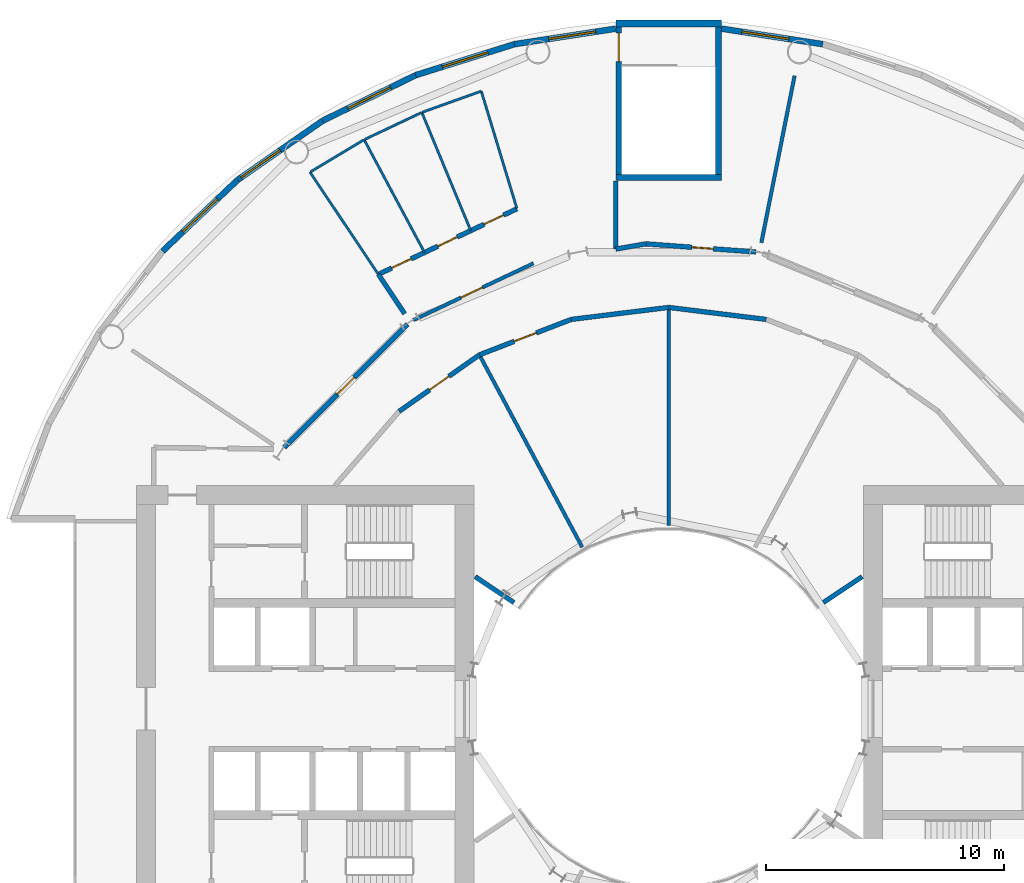
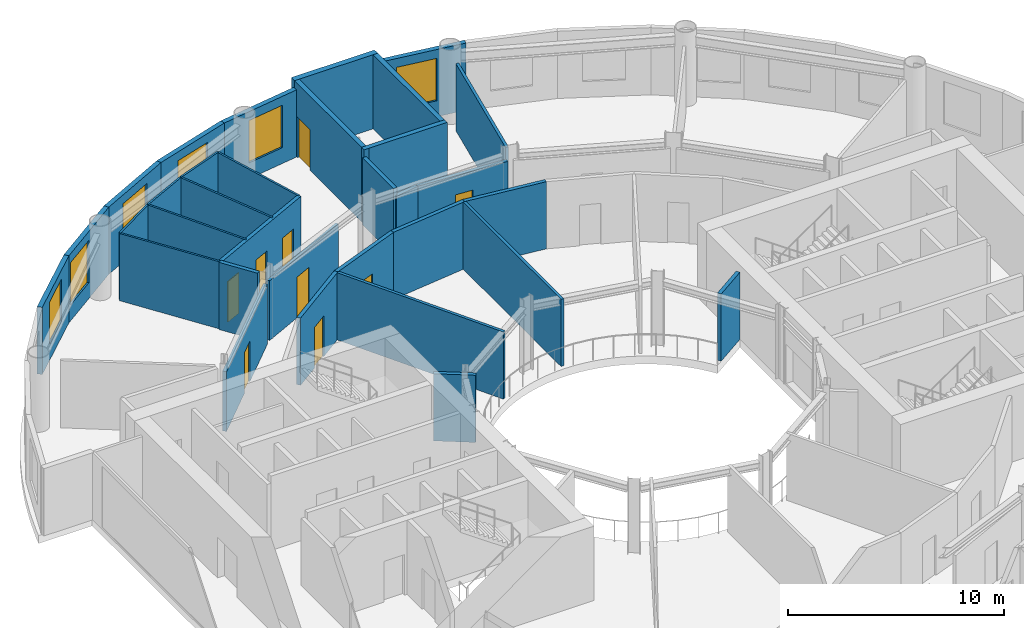
# One storey, part 8 of 13: 33 walls, 9 doors, 6 windows, 15 openings.
"""IFC4 building model written with IfcOpenShell, lengths in metres."""

from ifc_helpers import new_model, si_unit, direction, frame, frame_2d, origin, place, context, subcontext, project, spatial, rectangle, extrude, material, layer, layer_set, type_object, element, fill, save


model = new_model("IFC4")

# Units and contexts
model_context = context("Model", 3, precision=1e-05, world=origin(), true_north=direction((0.0, 1.0)))
body_context = subcontext(model_context, "Body", "Model", "MODEL_VIEW")
ifc_project = project(units=[si_unit("LENGTHUNIT", "METRE"), si_unit("AREAUNIT", "SQUARE_METRE"), si_unit("VOLUMEUNIT", "CUBIC_METRE"), si_unit("PLANEANGLEUNIT", "RADIAN"), si_unit("MASSUNIT", "GRAM", prefix="KILO")], contexts=[model_context])

# Site, building, storey
site_placement = place(None, origin())
site = spatial("IfcSite", under=ifc_project, at=site_placement, CompositionType="ELEMENT")
building_placement = place(site_placement, origin())
building = spatial("IfcBuilding", under=site, at=building_placement, Name="Maasbend Ring Residences", CompositionType="ELEMENT")
storey_placement = place(building_placement, frame((0.0, 0.0, 14.10009765625)))
storey = spatial("IfcBuildingStorey", under=building, at=storey_placement, Name="L03", CompositionType="ELEMENT", Elevation=14.10009765625)

# Wall, opening, door
ifc_material_1 = material(Name="Concrete C70/85", Category="concrete")
ifc_layer_1 = layer(ifc_material_1, 0.25)
ifc_layer_set_1 = layer_set([ifc_layer_1], Name="Concrete C70/85")
wall_type_1 = type_object("IfcWallType", Name="CORE WALL 250 C70/85", PredefinedType="SHEAR", material=ifc_layer_set_1)
wall_1_placement = place(storey_placement, frame((-2.10009765625, 28.699951171875, 0.0), z_axis=(0.0, 0.0, 1.0), x_axis=(0.0, -1.0, 0.0)))
wall_1 = element("IfcWall", 1, at=wall_1_placement, inside=storey, type_object=wall_type_1, Name="L03 ST-P4 enclosure wall WS+", PredefinedType="SHEAR", context=body_context, shape_type="SweptSolid", body=[
    extrude(rectangle(XDim=6.449951171875, YDim=0.25, at=frame_2d((3.22509765625, 0.0))), origin(), (0.0, 0.0, 1.0), 4.199951171875),
])
opening_1_placement = place(wall_1_placement, frame((0.25, 0.0, 0.0)))
opening_1 = element("IfcOpeningElement", 2, at=opening_1_placement, cuts=wall_1, Name="Opening D-P403S", PredefinedType="OPENING", context=body_context, shape_type="SweptSolid", body=[
    extrude(rectangle(XDim=1.199951171875, YDim=2.300048828125, at=frame_2d((0.60009765625, 1.14990234375))), frame((0.0, 0.135009765625, 0.0), z_axis=(0.0, -1.0, 0.0), x_axis=(1.0, 0.0, 0.0)), (0.0, 0.0, 1.0), 0.27001953125),
])
ifc_material_2 = material(Name="Steel, powder coated", Category="steel")
door_type_1 = type_object("IfcDoorType", Name="STAIR DOOR 1200 X 2300 FD60", OperationType="NOTDEFINED", PredefinedType="DOOR", material=ifc_material_2)
door_1_placement = place(opening_1_placement, origin())
door_1 = element("IfcDoor", 3, at=door_1_placement, inside=storey, type_object=door_type_1, Name="Stair door ST-P4 L03", OperationType="SINGLE_SWING_RIGHT", OverallHeight=2.300048828125, OverallWidth=1.199951171875, PredefinedType="DOOR", context=body_context, shape_type="SweptSolid", body=[
    extrude(rectangle(XDim=1.199951171875, YDim=2.300048828125, at=frame_2d((0.60009765625, 1.14990234375))), frame((0.0, 0.02490234375, 0.0), z_axis=(0.0, -1.0, 0.0), x_axis=(1.0, 0.0, 0.0)), (0.0, 0.0, 1.0), 0.050048828125),
])
fill(opening_1, door_1)

# Walls
wall_2_placement = place(storey_placement, frame((2.10009765625, 22.25, 0.0), z_axis=(0.0, 0.0, 1.0), x_axis=(0.0, 1.0, 0.0)))
element("IfcWall", 4, at=wall_2_placement, inside=storey, type_object=wall_type_1, Name="L03 ST-P4 enclosure wall WS-", PredefinedType="SHEAR", context=body_context, shape_type="SweptSolid", body=[
    extrude(rectangle(XDim=6.449951171875, YDim=0.25, at=frame_2d((3.22509765625, 0.0))), origin(), (0.0, 0.0, 1.0), 4.199951171875),
])
wall_3_placement = place(storey_placement, frame((2.22509765625, 22.375, 0.0), z_axis=(0.0, 0.0, 1.0), x_axis=(-1.0, 0.0, 0.0)))
element("IfcWall", 5, at=wall_3_placement, inside=storey, type_object=wall_type_1, Name="L03 ST-P4 enclosure wall WIN", PredefinedType="SHEAR", context=body_context, shape_type="SweptSolid", body=[
    extrude(rectangle(XDim=4.4501953125, YDim=0.25, at=frame_2d((2.22509765625, 0.0))), origin(), (0.0, 0.0, 1.0), 4.199951171875),
])
ifc_material_3 = material(Name="Concrete C70/85", Category="concrete")
ifc_layer_2 = layer(ifc_material_3, 0.300048828125)
ifc_layer_set_2 = layer_set([ifc_layer_2], Name="Concrete C70/85")
wall_type_2 = type_object("IfcWallType", Name="CORE WALL 300 C70/85", PredefinedType="SHEAR", material=ifc_layer_set_2)
wall_4_placement = place(storey_placement, frame((2.22509765625, 28.85009765625, 0.0), z_axis=(0.0, 0.0, 1.0), x_axis=(-1.0, 0.0, 0.0)))
element("IfcWall", 6, at=wall_4_placement, inside=storey, type_object=wall_type_2, Name="L03 ST-P4 enclosure wall WOUT", PredefinedType="SHEAR", context=body_context, shape_type="SweptSolid", body=[
    extrude(rectangle(XDim=4.4501953125, YDim=0.300048828125, at=frame_2d((2.22509765625, 0.0))), origin(), (0.0, 0.0, 1.0), 4.199951171875),
])
ifc_material_4 = material(Name="Concrete C30/37", Category="concrete")
ifc_layer_3 = layer(ifc_material_4, 0.199951171875)
ifc_layer_set_3 = layer_set([ifc_layer_3], Name="Concrete C30/37")
wall_type_3 = type_object("IfcWallType", Name="CORRIDOR WALL 200 CONCRETE", PredefinedType="PARTITIONING", material=ifc_layer_set_3)
wall_5_placement = place(storey_placement, frame((-12.221923828125, 18.2919921875, 0.0), z_axis=(0.0, 0.0, 1.0), x_axis=(0.555491592772, -0.831522152657, 0.0)))
element("IfcWall", 7, at=wall_5_placement, inside=storey, type_object=wall_type_3, Name="U-L03-w028", PredefinedType="PARTITIONING", context=body_context, shape_type="SweptSolid", body=[
    extrude(rectangle(XDim=1.99267578125, YDim=0.199951171875, at=frame_2d((0.996337890625, 0.0))), origin(), (0.0, 0.0, 1.0), 3.7998046875),
])
wall_6_placement = place(storey_placement, frame((-2.22509765625, 19.35693359375, 0.0), z_axis=(0.0, 0.0, 1.0), x_axis=(0.0, 1.0, 0.0)))
element("IfcWall", 8, at=wall_6_placement, inside=storey, type_object=wall_type_3, Name="U-L03-w047", PredefinedType="PARTITIONING", context=body_context, shape_type="SweptSolid", body=[
    extrude(rectangle(XDim=2.873046875, YDim=0.199951171875, at=frame_2d((1.4365234375, 0.0))), origin(), (0.0, 0.0, 1.0), 3.7998046875),
])

# Wall, opening, door
wall_7_placement = place(storey_placement, frame((-11.34912109375, 12.52197265625, 0.0), z_axis=(0.0, 0.0, 1.0), x_axis=(0.817567680547, 0.575832517079, 0.0)))
wall_7 = element("IfcWall", 9, at=wall_7_placement, inside=storey, type_object=wall_type_3, Name="U-L03-w051", PredefinedType="PARTITIONING", context=body_context, shape_type="SweptSolid", body=[
    extrude(rectangle(XDim=4.13671875, YDim=0.199951171875, at=frame_2d((2.068359375, 0.0))), origin(), (0.0, 0.0, 1.0), 3.7998046875),
])
opening_2_placement = place(wall_7_placement, frame((1.568115234375, 0.0, 0.0)))
opening_2 = element("IfcOpeningElement", 10, at=opening_2_placement, cuts=wall_7, Name="Opening D-0316", PredefinedType="OPENING", context=body_context, shape_type="SweptSolid", body=[
    extrude(rectangle(XDim=1.0, YDim=2.300048828125, at=frame_2d((0.5, 1.14990234375))), frame((0.0, 0.10986328125, 0.0), z_axis=(0.0, -1.0, 0.0), x_axis=(1.0, 0.0, 0.0)), (0.0, 0.0, 1.0), 0.219970703125),
])
ifc_material_5 = material(Name="Timber, painted", Category="wood")
door_type_2 = type_object("IfcDoorType", Name="ROOM DOOR 1000 X 2300", OperationType="NOTDEFINED", PredefinedType="DOOR", material=ifc_material_5)
door_2_placement = place(opening_2_placement, origin())
door_2 = element("IfcDoor", 11, at=door_2_placement, inside=storey, type_object=door_type_2, Name="D-0316", OperationType="SINGLE_SWING_RIGHT", OverallHeight=2.300048828125, OverallWidth=1.0, PredefinedType="DOOR", context=body_context, shape_type="SweptSolid", body=[
    extrude(rectangle(XDim=1.0, YDim=2.300048828125, at=frame_2d((0.5, 1.14990234375))), frame((0.0, 0.02490234375, 0.0), z_axis=(0.0, -1.0, 0.0), x_axis=(1.0, 0.0, 0.0)), (0.0, 0.0, 1.0), 0.050048828125),
])
fill(opening_2, door_2)

wall_8_placement = place(storey_placement, frame((-7.967041015625, 14.904052734375, 0.0), z_axis=(0.0, 0.0, 1.0), x_axis=(0.932943640288, 0.360022449363, 0.0)))
wall_8 = element("IfcWall", 12, at=wall_8_placement, inside=storey, type_object=wall_type_3, Name="U-L03-w052", PredefinedType="PARTITIONING", context=body_context, shape_type="SweptSolid", body=[
    extrude(rectangle(XDim=4.138671875, YDim=0.199951171875, at=frame_2d((2.0693359375, 0.0))), origin(), (0.0, 0.0, 1.0), 3.7998046875),
])
opening_3_placement = place(wall_8_placement, frame((1.569091796875, 0.0, 0.0)))
opening_3 = element("IfcOpeningElement", 13, at=opening_3_placement, cuts=wall_8, Name="Opening D-0315", PredefinedType="OPENING", context=body_context, shape_type="SweptSolid", body=[
    extrude(rectangle(XDim=1.0, YDim=2.300048828125, at=frame_2d((0.5, 1.14990234375))), frame((0.0, 0.10986328125, 0.0), z_axis=(0.0, -1.0, 0.0), x_axis=(1.0, 0.0, 0.0)), (0.0, 0.0, 1.0), 0.219970703125),
])
door_3_placement = place(opening_3_placement, origin())
door_3 = element("IfcDoor", 14, at=door_3_placement, inside=storey, type_object=door_type_2, Name="D-0315", OperationType="SINGLE_SWING_RIGHT", OverallHeight=2.300048828125, OverallWidth=1.0, PredefinedType="DOOR", context=body_context, shape_type="SweptSolid", body=[
    extrude(rectangle(XDim=1.0, YDim=2.300048828125, at=frame_2d((0.5, 1.14990234375))), frame((0.0, 0.02490234375, 0.0), z_axis=(0.0, -1.0, 0.0), x_axis=(1.0, 0.0, 0.0)), (0.0, 0.0, 1.0), 0.050048828125),
])
fill(opening_3, door_3)

# Walls
for number, where, z_axis, x_axis, name in (
    (15, (-4.10595703125, 16.39404296875, 0.0), (0.0, 0.0, 1.0), (0.992496033272, 0.122276833211, 0.0), "U-L03-w053"),
    (16, (0.0, 16.89990234375, 0.0), (0.0, 0.0, 1.0), (0.992496033272, -0.122276833211, 0.0), "U-L03-w054"),
):
    element("IfcWall", number, at=place(storey_placement, frame(where, z_axis=z_axis, x_axis=x_axis)), inside=storey, type_object=wall_type_3, Name=name, PredefinedType="PARTITIONING", context=body_context, shape_type="SweptSolid", body=[
        extrude(rectangle(XDim=4.136962890625, YDim=0.199951171875, at=frame_2d((2.068359375, 0.0))), origin(), (0.0, 0.0, 1.0), 3.7998046875),
    ])

# Wall, opening, door
wall_9_placement = place(storey_placement, frame((-16.18798828125, 10.998046875, 0.0), z_axis=(0.0, 0.0, 1.0), x_axis=(0.707106781187, 0.707106781187, 0.0)))
wall_9 = element("IfcWall", 17, at=wall_9_placement, inside=storey, type_object=wall_type_3, Name="U-L03-w058", PredefinedType="PARTITIONING", context=body_context, shape_type="SweptSolid", body=[
    extrude(rectangle(XDim=7.339599609375, YDim=0.199951171875, at=frame_2d((3.669921875, 0.0))), origin(), (0.0, 0.0, 1.0), 3.3798828125),
])
opening_4_placement = place(wall_9_placement, frame((3.169921875, 0.0, 0.0)))
opening_4 = element("IfcOpeningElement", 18, at=opening_4_placement, cuts=wall_9, Name="Opening D-0312", PredefinedType="OPENING", context=body_context, shape_type="SweptSolid", body=[
    extrude(rectangle(XDim=1.0, YDim=2.300048828125, at=frame_2d((0.5, 1.14990234375))), frame((0.0, 0.10986328125, 0.0), z_axis=(0.0, -1.0, 0.0), x_axis=(1.0, 0.0, 0.0)), (0.0, 0.0, 1.0), 0.219970703125),
])
door_4_placement = place(opening_4_placement, origin())
door_4 = element("IfcDoor", 19, at=door_4_placement, inside=storey, type_object=door_type_2, Name="D-0312", OperationType="SINGLE_SWING_RIGHT", OverallHeight=2.300048828125, OverallWidth=1.0, PredefinedType="DOOR", context=body_context, shape_type="SweptSolid", body=[
    extrude(rectangle(XDim=1.0, YDim=2.300048828125, at=frame_2d((0.5, 1.14990234375))), frame((0.0, 0.02490234375, 0.0), z_axis=(0.0, -1.0, 0.0), x_axis=(1.0, 0.0, 0.0)), (0.0, 0.0, 1.0), 0.050048828125),
])
fill(opening_4, door_4)

# Wall
wall_10_placement = place(storey_placement, frame((-2.22509765625, 19.35693359375, 0.0), z_axis=(0.0, 0.0, 1.0), x_axis=(0.985302465297, 0.170818769109, 0.0)))
element("IfcWall", 20, at=wall_10_placement, inside=storey, type_object=wall_type_3, Name="U-L03-w062", PredefinedType="PARTITIONING", context=body_context, shape_type="SweptSolid", body=[
    extrude(rectangle(XDim=1.281982421875, YDim=0.199951171875, at=frame_2d((0.64111328125, 0.0))), origin(), (0.0, 0.0, 1.0), 3.3798828125),
])

# Wall, opening, door
wall_11_placement = place(storey_placement, frame((-0.9619140625, 19.575927734375, 0.0), z_axis=(0.0, 0.0, 1.0), x_axis=(0.997285649759, -0.073629700427, 0.0)))
wall_11 = element("IfcWall", 21, at=wall_11_placement, inside=storey, type_object=wall_type_3, Name="U-L03-w063", PredefinedType="PARTITIONING", context=body_context, shape_type="SweptSolid", body=[
    extrude(rectangle(XDim=4.6455078125, YDim=0.199951171875, at=frame_2d((2.32275390625, 0.0))), origin(), (0.0, 0.0, 1.0), 3.3798828125),
])
opening_5_placement = place(wall_11_placement, frame((1.949951171875, 0.0, 0.0)))
opening_5 = element("IfcOpeningElement", 22, at=opening_5_placement, cuts=wall_11, Name="Opening D-0311", PredefinedType="OPENING", context=body_context, shape_type="SweptSolid", body=[
    extrude(rectangle(XDim=0.89990234375, YDim=2.300048828125, at=frame_2d((0.449951171875, 1.14990234375))), frame((0.0, 0.10986328125, 0.0), z_axis=(0.0, -1.0, 0.0), x_axis=(1.0, 0.0, 0.0)), (0.0, 0.0, 1.0), 0.219970703125),
])
ifc_material_6 = material(Name="Steel, fire-rated, painted", Category="steel")
door_type_3 = type_object("IfcDoorType", Name="SERVICE DOOR 900 X 2300 FIRE-RATED", OperationType="NOTDEFINED", PredefinedType="DOOR", material=ifc_material_6)
door_5_placement = place(opening_5_placement, origin())
door_5 = element("IfcDoor", 23, at=door_5_placement, inside=storey, type_object=door_type_3, Name="D-0311", OperationType="SINGLE_SWING_RIGHT", OverallHeight=2.300048828125, OverallWidth=0.89990234375, PredefinedType="DOOR", context=body_context, shape_type="SweptSolid", body=[
    extrude(rectangle(XDim=0.89990234375, YDim=2.300048828125, at=frame_2d((0.449951171875, 1.14990234375))), frame((0.0, 0.02490234375, 0.0), z_axis=(0.0, -1.0, 0.0), x_axis=(1.0, 0.0, 0.0)), (0.0, 0.0, 1.0), 0.050048828125),
])
fill(opening_5, door_5)

# Wall, openings, doors
wall_12_placement = place(storey_placement, frame((-12.22607421875, 18.2900390625, 0.0), z_axis=(0.0, 0.0, 1.0), x_axis=(0.90397320193, 0.427589113745, 0.0)))
wall_12 = element("IfcWall", 24, at=wall_12_placement, inside=storey, type_object=wall_type_3, Name="U-L03-w066", PredefinedType="PARTITIONING", context=body_context, shape_type="SweptSolid", body=[
    extrude(rectangle(XDim=6.45947265625, YDim=0.199951171875, at=frame_2d((3.229736328125, 0.0))), origin(), (0.0, 0.0, 1.0), 3.7998046875),
])
opening_6_placement = place(wall_12_placement, frame((4.93408203125, 0.0, 0.0)))
opening_6 = element("IfcOpeningElement", 25, at=opening_6_placement, cuts=wall_12, Name="Opening D-0302", PredefinedType="OPENING", context=body_context, shape_type="SweptSolid", body=[
    extrude(rectangle(XDim=0.89990234375, YDim=2.300048828125, at=frame_2d((0.449951171875, 1.14990234375))), frame((0.0, 0.10986328125, 0.0), z_axis=(0.0, -1.0, 0.0), x_axis=(1.0, 0.0, 0.0)), (0.0, 0.0, 1.0), 0.219970703125),
])
opening_7_placement = place(wall_12_placement, frame((2.777099609375, 0.0, 0.0)))
opening_7 = element("IfcOpeningElement", 26, at=opening_7_placement, cuts=wall_12, Name="Opening D-0303", PredefinedType="OPENING", context=body_context, shape_type="SweptSolid", body=[
    extrude(rectangle(XDim=0.89990234375, YDim=2.300048828125, at=frame_2d((0.449951171875, 1.14990234375))), frame((0.0, 0.10986328125, 0.0), z_axis=(0.0, -1.0, 0.0), x_axis=(1.0, 0.0, 0.0)), (0.0, 0.0, 1.0), 0.219970703125),
])
opening_8_placement = place(wall_12_placement, frame((0.6279296875, 0.0, 0.0)))
opening_8 = element("IfcOpeningElement", 27, at=opening_8_placement, cuts=wall_12, Name="Opening D-0304", PredefinedType="OPENING", context=body_context, shape_type="SweptSolid", body=[
    extrude(rectangle(XDim=0.89990234375, YDim=2.300048828125, at=frame_2d((0.449951171875, 1.14990234375))), frame((0.0, 0.10986328125, 0.0), z_axis=(0.0, -1.0, 0.0), x_axis=(1.0, 0.0, 0.0)), (0.0, 0.0, 1.0), 0.219970703125),
])
ifc_material_7 = material(Name="Timber, painted", Category="wood")
door_type_4 = type_object("IfcDoorType", Name="INTERNAL DOOR 900 X 2300", OperationType="NOTDEFINED", PredefinedType="DOOR", material=ifc_material_7)
door_6_placement = place(opening_6_placement, origin())
door_6 = element("IfcDoor", 28, at=door_6_placement, inside=storey, type_object=door_type_4, Name="D-0302", OperationType="SINGLE_SWING_RIGHT", OverallHeight=2.300048828125, OverallWidth=0.89990234375, PredefinedType="DOOR", context=body_context, shape_type="SweptSolid", body=[
    extrude(rectangle(XDim=0.89990234375, YDim=2.300048828125, at=frame_2d((0.449951171875, 1.14990234375))), frame((0.0, 0.02490234375, 0.0), z_axis=(0.0, -1.0, 0.0), x_axis=(1.0, 0.0, 0.0)), (0.0, 0.0, 1.0), 0.050048828125),
])
fill(opening_6, door_6)
door_7_placement = place(opening_7_placement, origin())
door_7 = element("IfcDoor", 29, at=door_7_placement, inside=storey, type_object=door_type_4, Name="D-0303", OperationType="SINGLE_SWING_LEFT", OverallHeight=2.300048828125, OverallWidth=0.89990234375, PredefinedType="DOOR", context=body_context, shape_type="SweptSolid", body=[
    extrude(rectangle(XDim=0.89990234375, YDim=2.300048828125, at=frame_2d((0.449951171875, 1.14990234375))), frame((0.0, 0.02490234375, 0.0), z_axis=(0.0, -1.0, 0.0), x_axis=(1.0, 0.0, 0.0)), (0.0, 0.0, 1.0), 0.050048828125),
])
fill(opening_7, door_7)
door_8_placement = place(opening_8_placement, origin())
door_8 = element("IfcDoor", 30, at=door_8_placement, inside=storey, type_object=door_type_4, Name="D-0304", OperationType="SINGLE_SWING_LEFT", OverallHeight=2.300048828125, OverallWidth=0.89990234375, PredefinedType="DOOR", context=body_context, shape_type="SweptSolid", body=[
    extrude(rectangle(XDim=0.89990234375, YDim=2.300048828125, at=frame_2d((0.449951171875, 1.14990234375))), frame((0.0, 0.02490234375, 0.0), z_axis=(0.0, -1.0, 0.0), x_axis=(1.0, 0.0, 0.0)), (0.0, 0.0, 1.0), 0.050048828125),
])
fill(opening_8, door_8)

# Wall, opening, window
ifc_material_8 = material(Name="Aluminium clad insulated panel", Category="aluminium")
ifc_layer_4 = layer(ifc_material_8, 0.25)
ifc_layer_set_4 = layer_set([ifc_layer_4], Name="EW-GL")
wall_type_4 = type_object("IfcWallType", Name="EW-GL", PredefinedType="SOLIDWALL", material=ifc_layer_set_4)
wall_13_placement = place(storey_placement, frame((6.489013671875, 27.98193359375, 0.0), z_axis=(0.0, 0.0, 1.0), x_axis=(-0.988472895049, 0.151397938406, 0.0)))
wall_13 = element("IfcWall", 31, at=wall_13_placement, inside=storey, type_object=wall_type_4, Name="Community floor wall 08a", PredefinedType="SOLIDWALL", context=body_context, shape_type="SweptSolid", body=[
    extrude(rectangle(XDim=4.313720703125, YDim=0.25, at=frame_2d((2.15673828125, 0.0))), origin(), (0.0, 0.0, 1.0), 3.7998046875),
])
opening_9_placement = place(wall_13_placement, frame((1.455322265625, 0.0, 0.89990234375)))
opening_9 = element("IfcOpeningElement", 32, at=opening_9_placement, cuts=wall_13, Name="Opening W-BD", PredefinedType="OPENING", context=body_context, shape_type="SweptSolid", body=[
    extrude(rectangle(XDim=2.0, YDim=2.39990234375, at=frame_2d((1.0, 1.199951171875))), frame((0.0, 0.135009765625, 0.0), z_axis=(0.0, -1.0, 0.0), x_axis=(1.0, 0.0, 0.0)), (0.0, 0.0, 1.0), 0.27001953125),
])
ifc_material_9 = material(Name="Aluminium and clear glass", Category="aluminium")
window_type = type_object("IfcWindowType", Name="W-BD", PartitioningType="DOUBLE_PANEL_VERTICAL", PredefinedType="WINDOW", material=ifc_material_9)
window_1_placement = place(opening_9_placement, origin())
window_1 = element("IfcWindow", 33, at=window_1_placement, inside=storey, type_object=window_type, Name="Community floor window 08a", OverallHeight=2.39990234375, OverallWidth=2.0, PartitioningType="SINGLE_PANEL", PredefinedType="WINDOW", context=body_context, shape_type="SweptSolid", body=[
    extrude(rectangle(XDim=2.0, YDim=2.39990234375, at=frame_2d((1.0, 1.199951171875))), frame((0.0, 0.030029296875, 0.0), z_axis=(0.0, -1.0, 0.0), x_axis=(1.0, 0.0, 0.0)), (0.0, 0.0, 1.0), 0.06005859375),
])
fill(opening_9, window_1)

wall_14_placement = place(storey_placement, frame((-2.22509765625, 28.635009765625, 0.0), z_axis=(0.0, 0.0, 1.0), x_axis=(-0.988472895049, -0.151397938406, 0.0)))
wall_14 = element("IfcWall", 34, at=wall_14_placement, inside=storey, type_object=wall_type_4, Name="Community floor wall 10a", PredefinedType="SOLIDWALL", context=body_context, shape_type="SweptSolid", body=[
    extrude(rectangle(XDim=4.313720703125, YDim=0.25, at=frame_2d((2.15673828125, 0.0))), origin(), (0.0, 0.0, 1.0), 3.7998046875),
])
opening_10_placement = place(wall_14_placement, frame((0.858642578125, 0.0, 0.89990234375)))
opening_10 = element("IfcOpeningElement", 35, at=opening_10_placement, cuts=wall_14, Name="Opening W-BD", PredefinedType="OPENING", context=body_context, shape_type="SweptSolid", body=[
    extrude(rectangle(XDim=2.0, YDim=2.39990234375, at=frame_2d((1.0, 1.199951171875))), frame((0.0, 0.135009765625, 0.0), z_axis=(0.0, -1.0, 0.0), x_axis=(1.0, 0.0, 0.0)), (0.0, 0.0, 1.0), 0.27001953125),
])
window_2_placement = place(opening_10_placement, origin())
window_2 = element("IfcWindow", 36, at=window_2_placement, inside=storey, type_object=window_type, Name="Community floor window 10a", OverallHeight=2.39990234375, OverallWidth=2.0, PartitioningType="SINGLE_PANEL", PredefinedType="WINDOW", context=body_context, shape_type="SweptSolid", body=[
    extrude(rectangle(XDim=2.0, YDim=2.39990234375, at=frame_2d((1.0, 1.199951171875))), frame((0.0, 0.030029296875, 0.0), z_axis=(0.0, -1.0, 0.0), x_axis=(1.0, 0.0, 0.0)), (0.0, 0.0, 1.0), 0.06005859375),
])
fill(opening_10, window_2)

wall_15_placement = place(storey_placement, frame((-6.489013671875, 27.98193359375, 0.0), z_axis=(0.0, 0.0, 1.0), x_axis=(-0.954219534331, -0.299107138498, 0.0)))
wall_15 = element("IfcWall", 37, at=wall_15_placement, inside=storey, type_object=wall_type_4, Name="Community floor wall 11", PredefinedType="SOLIDWALL", context=body_context, shape_type="SweptSolid", body=[
    extrude(rectangle(XDim=4.359375, YDim=0.25, at=frame_2d((2.1796875, 0.0))), origin(), (0.0, 0.0, 1.0), 3.7998046875),
])
opening_11_placement = place(wall_15_placement, frame((1.179931640625, 0.0, 0.89990234375)))
opening_11 = element("IfcOpeningElement", 38, at=opening_11_placement, cuts=wall_15, Name="Opening W-BD", PredefinedType="OPENING", context=body_context, shape_type="SweptSolid", body=[
    extrude(rectangle(XDim=2.0, YDim=2.39990234375, at=frame_2d((1.0, 1.199951171875))), frame((0.0, 0.135009765625, 0.0), z_axis=(0.0, -1.0, 0.0), x_axis=(1.0, 0.0, 0.0)), (0.0, 0.0, 1.0), 0.27001953125),
])
window_3_placement = place(opening_11_placement, origin())
window_3 = element("IfcWindow", 39, at=window_3_placement, inside=storey, type_object=window_type, Name="Community floor window 11", OverallHeight=2.39990234375, OverallWidth=2.0, PartitioningType="SINGLE_PANEL", PredefinedType="WINDOW", context=body_context, shape_type="SweptSolid", body=[
    extrude(rectangle(XDim=2.0, YDim=2.39990234375, at=frame_2d((1.0, 1.199951171875))), frame((0.0, 0.030029296875, 0.0), z_axis=(0.0, -1.0, 0.0), x_axis=(1.0, 0.0, 0.0)), (0.0, 0.0, 1.0), 0.06005859375),
])
fill(opening_11, window_3)

wall_16_placement = place(storey_placement, frame((-10.64892578125, 26.677978515625, 0.0), z_axis=(0.0, 0.0, 1.0), x_axis=(-0.897938079481, -0.440121807478, 0.0)))
wall_16 = element("IfcWall", 40, at=wall_16_placement, inside=storey, type_object=wall_type_4, Name="Community floor wall 12", PredefinedType="SOLIDWALL", context=body_context, shape_type="SweptSolid", body=[
    extrude(rectangle(XDim=4.360107421875, YDim=0.25, at=frame_2d((2.18017578125, 0.0))), origin(), (0.0, 0.0, 1.0), 3.7998046875),
])
opening_12_placement = place(wall_16_placement, frame((1.179931640625, 0.0, 0.89990234375)))
opening_12 = element("IfcOpeningElement", 41, at=opening_12_placement, cuts=wall_16, Name="Opening W-BD", PredefinedType="OPENING", context=body_context, shape_type="SweptSolid", body=[
    extrude(rectangle(XDim=2.0, YDim=2.39990234375, at=frame_2d((1.0, 1.199951171875))), frame((0.0, 0.135009765625, 0.0), z_axis=(0.0, -1.0, 0.0), x_axis=(1.0, 0.0, 0.0)), (0.0, 0.0, 1.0), 0.27001953125),
])
window_4_placement = place(opening_12_placement, origin())
window_4 = element("IfcWindow", 42, at=window_4_placement, inside=storey, type_object=window_type, Name="Community floor window 12", OverallHeight=2.39990234375, OverallWidth=2.0, PartitioningType="SINGLE_PANEL", PredefinedType="WINDOW", context=body_context, shape_type="SweptSolid", body=[
    extrude(rectangle(XDim=2.0, YDim=2.39990234375, at=frame_2d((1.0, 1.199951171875))), frame((0.0, 0.030029296875, 0.0), z_axis=(0.0, -1.0, 0.0), x_axis=(1.0, 0.0, 0.0)), (0.0, 0.0, 1.0), 0.06005859375),
])
fill(opening_12, window_4)

wall_17_placement = place(storey_placement, frame((-14.56396484375, 24.759033203125, 0.0), z_axis=(0.0, 0.0, 1.0), x_axis=(-0.820990800869, -0.57094141984, 0.0)))
wall_17 = element("IfcWall", 43, at=wall_17_placement, inside=storey, type_object=wall_type_4, Name="Community floor wall 13", PredefinedType="SOLIDWALL", context=body_context, shape_type="SweptSolid", body=[
    extrude(rectangle(XDim=4.359375, YDim=0.25, at=frame_2d((2.1796875, 0.0))), origin(), (0.0, 0.0, 1.0), 3.7998046875),
])
opening_13_placement = place(wall_17_placement, frame((2.1826171875, 0.0, 0.89990234375)))
opening_13 = element("IfcOpeningElement", 44, at=opening_13_placement, cuts=wall_17, Name="Opening W-BD", PredefinedType="OPENING", context=body_context, shape_type="SweptSolid", body=[
    extrude(rectangle(XDim=2.0, YDim=2.39990234375, at=frame_2d((1.0, 1.199951171875))), frame((0.0, 0.135009765625, 0.0), z_axis=(0.0, -1.0, 0.0), x_axis=(1.0, 0.0, 0.0)), (0.0, 0.0, 1.0), 0.27001953125),
])
window_5_placement = place(opening_13_placement, origin())
window_5 = element("IfcWindow", 45, at=window_5_placement, inside=storey, type_object=window_type, Name="Community floor window 13", OverallHeight=2.39990234375, OverallWidth=2.0, PartitioningType="SINGLE_PANEL", PredefinedType="WINDOW", context=body_context, shape_type="SweptSolid", body=[
    extrude(rectangle(XDim=2.0, YDim=2.39990234375, at=frame_2d((1.0, 1.199951171875))), frame((0.0, 0.030029296875, 0.0), z_axis=(0.0, -1.0, 0.0), x_axis=(1.0, 0.0, 0.0)), (0.0, 0.0, 1.0), 0.06005859375),
])
fill(opening_13, window_5)

wall_18_placement = place(storey_placement, frame((-18.14306640625, 22.27001953125, 0.0), z_axis=(0.0, 0.0, 1.0), x_axis=(-0.725101501119, -0.68864200647, 0.0)))
wall_18 = element("IfcWall", 46, at=wall_18_placement, inside=storey, type_object=wall_type_4, Name="Community floor wall 14", PredefinedType="SOLIDWALL", context=body_context, shape_type="SweptSolid", body=[
    extrude(rectangle(XDim=4.359130859375, YDim=0.25, at=frame_2d((2.1796875, 0.0))), origin(), (0.0, 0.0, 1.0), 3.7998046875),
])
opening_14_placement = place(wall_18_placement, frame((1.179931640625, 0.0, 0.89990234375)))
opening_14 = element("IfcOpeningElement", 47, at=opening_14_placement, cuts=wall_18, Name="Opening W-BD", PredefinedType="OPENING", context=body_context, shape_type="SweptSolid", body=[
    extrude(rectangle(XDim=2.0, YDim=2.39990234375, at=frame_2d((1.0, 1.199951171875))), frame((0.0, 0.135009765625, 0.0), z_axis=(0.0, -1.0, 0.0), x_axis=(1.0, 0.0, 0.0)), (0.0, 0.0, 1.0), 0.27001953125),
])
window_6_placement = place(opening_14_placement, origin())
window_6 = element("IfcWindow", 48, at=window_6_placement, inside=storey, type_object=window_type, Name="Community floor window 14", OverallHeight=2.39990234375, OverallWidth=2.0, PartitioningType="SINGLE_PANEL", PredefinedType="WINDOW", context=body_context, shape_type="SweptSolid", body=[
    extrude(rectangle(XDim=2.0, YDim=2.39990234375, at=frame_2d((1.0, 1.199951171875))), frame((0.0, 0.030029296875, 0.0), z_axis=(0.0, -1.0, 0.0), x_axis=(1.0, 0.0, 0.0)), (0.0, 0.0, 1.0), 0.06005859375),
])
fill(opening_14, window_6)

# Walls
ifc_material_10 = material(Name="Gypsum board on steel studs", Category="steel")
ifc_layer_5 = layer(ifc_material_10, 0.10009765625)
ifc_layer_set_5 = layer_set([ifc_layer_5], Name="PARTITION 100 GYPSUM")
wall_type_5 = type_object("IfcWallType", Name="PARTITION 100 GYPSUM", PredefinedType="PARTITIONING", material=ifc_layer_set_5)
wall_19_placement = place(storey_placement, frame((-15.097900390625, 22.594970703125, 0.0), z_axis=(0.0, 0.0, 1.0), x_axis=(0.555549082229, -0.83148374442, 0.0)))
element("IfcWall", 49, at=wall_19_placement, inside=storey, type_object=wall_type_5, Name="U-L03-w026", PredefinedType="PARTITIONING", context=body_context, shape_type="SweptSolid", body=[
    extrude(rectangle(XDim=5.175048828125, YDim=0.10009765625, at=frame_2d((2.58740234375, 0.0))), origin(), (0.0, 0.0, 1.0), 3.7998046875),
])
wall_20_placement = place(storey_placement, frame((-12.819091796875, 23.9619140625, 0.0), z_axis=(0.0, 0.0, 1.0), x_axis=(0.471698142177, -0.881760093601, 0.0)))
element("IfcWall", 50, at=wall_20_placement, inside=storey, type_object=wall_type_5, Name="U-L03-w027", PredefinedType="PARTITIONING", context=body_context, shape_type="SweptSolid", body=[
    extrude(rectangle(XDim=5.386962890625, YDim=0.10009765625, at=frame_2d((2.693359375, 0.0))), origin(), (0.0, 0.0, 1.0), 3.7998046875),
])
wall_21_placement = place(storey_placement, frame((-10.39111328125, 25.110107421875, 0.0), z_axis=(0.0, 0.0, 1.0), x_axis=(0.38229040446, -0.924042232075, 0.0)))
element("IfcWall", 51, at=wall_21_placement, inside=storey, type_object=wall_type_5, Name="U-L03-w029", PredefinedType="PARTITIONING", context=body_context, shape_type="SweptSolid", body=[
    extrude(rectangle(XDim=5.38623046875, YDim=0.10009765625, at=frame_2d((2.693115234375, 0.0))), origin(), (0.0, 0.0, 1.0), 3.7998046875),
])
wall_22_placement = place(storey_placement, frame((-10.3720703125, 25.116943359375, 0.0), z_axis=(0.0, 0.0, 1.0), x_axis=(0.941651844769, 0.336588477585, 0.0)))
element("IfcWall", 52, at=wall_22_placement, inside=storey, type_object=wall_type_5, Name="U-L03-w067", PredefinedType="PARTITIONING", context=body_context, shape_type="SweptSolid", body=[
    extrude(rectangle(XDim=2.637939453125, YDim=0.10009765625, at=frame_2d((1.31884765625, 0.0))), origin(), (0.0, 0.0, 1.0), 3.7998046875),
])
wall_23_placement = place(storey_placement, frame((-7.887939453125, 26.0048828125, 0.0), z_axis=(0.0, 0.0, 1.0), x_axis=(0.290192738678, -0.956968220172, 0.0)))
element("IfcWall", 53, at=wall_23_placement, inside=storey, type_object=wall_type_5, Name="U-L03-w068", PredefinedType="PARTITIONING", context=body_context, shape_type="SweptSolid", body=[
    extrude(rectangle(XDim=5.15478515625, YDim=0.10009765625, at=frame_2d((2.577392578125, 0.0))), origin(), (0.0, 0.0, 1.0), 3.7998046875),
])
wall_24_placement = place(storey_placement, frame((-12.800048828125, 23.970947265625, 0.0), z_axis=(0.0, 0.0, 1.0), x_axis=(0.904104040696, 0.427312395792, 0.0)))
element("IfcWall", 54, at=wall_24_placement, inside=storey, type_object=wall_type_5, Name="U-L03-w069", PredefinedType="PARTITIONING", context=body_context, shape_type="SweptSolid", body=[
    extrude(rectangle(XDim=2.644775390625, YDim=0.10009765625, at=frame_2d((1.322265625, 0.0))), origin(), (0.0, 0.0, 1.0), 3.7998046875),
])
wall_25_placement = place(storey_placement, frame((-15.0810546875, 22.60498046875, 0.0), z_axis=(0.0, 0.0, 1.0), x_axis=(0.857616279358, 0.514290110132, 0.0)))
element("IfcWall", 55, at=wall_25_placement, inside=storey, type_object=wall_type_5, Name="U-L03-w070", PredefinedType="PARTITIONING", context=body_context, shape_type="SweptSolid", body=[
    extrude(rectangle(XDim=2.618896484375, YDim=0.10009765625, at=frame_2d((1.3095703125, 0.0))), origin(), (0.0, 0.0, 1.0), 3.7998046875),
])
ifc_material_11 = material(Name="Gypsum board on steel studs", Category="steel")
ifc_layer_6 = layer(ifc_material_11, 0.14990234375)
ifc_layer_set_6 = layer_set([ifc_layer_6], Name="PARTITION 150 GYPSUM")
wall_type_6 = type_object("IfcWallType", Name="PARTITION 150 GYPSUM", PredefinedType="PARTITIONING", material=ifc_layer_set_6)
wall_26_placement = place(storey_placement, frame((-7.968017578125, 14.904052734375, 0.0), z_axis=(0.0, 0.0, 1.0), x_axis=(0.471460365694, -0.881887251059, 0.0)))
element("IfcWall", 56, at=wall_26_placement, inside=storey, type_object=wall_type_6, Name="U-L03-w030", PredefinedType="PARTITIONING", context=body_context, shape_type="SweptSolid", body=[
    extrude(rectangle(XDim=9.18017578125, YDim=0.14990234375, at=frame_2d((4.590087890625, 0.0))), origin(), (0.0, 0.0, 1.0), 3.7998046875),
])
wall_27_placement = place(storey_placement, frame((0.0, 7.719970703125, 0.0), z_axis=(0.0, 0.0, 1.0), x_axis=(0.0, 1.0, 0.0)))
element("IfcWall", 57, at=wall_27_placement, inside=storey, type_object=wall_type_6, Name="U-L03-w034", PredefinedType="PARTITIONING", context=body_context, shape_type="SweptSolid", body=[
    extrude(rectangle(XDim=9.179931640625, YDim=0.14990234375, at=frame_2d((4.58984375, 0.0))), origin(), (0.0, 0.0, 1.0), 3.7998046875),
])
wall_28_placement = place(storey_placement, frame((3.903076171875, 19.623046875, 0.0), z_axis=(0.0, 0.0, 1.0), x_axis=(0.195166281073, 0.98077016815, 0.0)))
element("IfcWall", 58, at=wall_28_placement, inside=storey, type_object=wall_type_6, Name="U-L03-w037", PredefinedType="PARTITIONING", context=body_context, shape_type="SweptSolid", body=[
    extrude(rectangle(XDim=7.16796875, YDim=0.14990234375, at=frame_2d((3.583984375, 0.0))), origin(), (0.0, 0.0, 1.0), 3.7998046875),
])

# Wall, opening, door
wall_29_placement = place(storey_placement, frame((-10.7509765625, 16.362060546875, 0.0), z_axis=(0.0, 0.0, 1.0), x_axis=(0.903965018344, 0.42760641437, 0.0)))
wall_29 = element("IfcWall", 59, at=wall_29_placement, inside=storey, type_object=wall_type_6, Name="U-L03-w061", PredefinedType="PARTITIONING", context=body_context, shape_type="SweptSolid", body=[
    extrude(rectangle(XDim=5.5986328125, YDim=0.14990234375, at=frame_2d((2.79931640625, 0.0))), origin(), (0.0, 0.0, 1.0), 3.3798828125),
])
opening_15_placement = place(wall_29_placement, frame((2.222900390625, 0.0, 0.0)))
opening_15 = element("IfcOpeningElement", 60, at=opening_15_placement, cuts=wall_29, Name="Opening D-0301", PredefinedType="OPENING", context=body_context, shape_type="SweptSolid", body=[
    extrude(rectangle(XDim=1.0, YDim=2.300048828125, at=frame_2d((0.5, 1.14990234375))), frame((0.0, 0.0849609375, 0.0), z_axis=(0.0, -1.0, 0.0), x_axis=(1.0, 0.0, 0.0)), (0.0, 0.0, 1.0), 0.169921875),
])
door_9_placement = place(opening_15_placement, origin())
door_9 = element("IfcDoor", 61, at=door_9_placement, inside=storey, type_object=door_type_2, Name="D-0301", OperationType="SINGLE_SWING_LEFT", OverallHeight=2.300048828125, OverallWidth=1.0, PredefinedType="DOOR", context=body_context, shape_type="SweptSolid", body=[
    extrude(rectangle(XDim=1.0, YDim=2.300048828125, at=frame_2d((0.5, 1.14990234375))), frame((0.0, 0.02490234375, 0.0), z_axis=(0.0, -1.0, 0.0), x_axis=(1.0, 0.0, 0.0)), (0.0, 0.0, 1.0), 0.050048828125),
])
fill(opening_15, door_9)

# Walls
ifc_material_12 = material(Name="Concrete C30/37", Category="concrete")
ifc_layer_7 = layer(ifc_material_12, 0.199951171875)
ifc_layer_set_7 = layer_set([ifc_layer_7], Name="Concrete C30/37")
wall_type_7 = type_object("IfcWallType", Name="PARTY WALL 200 CONCRETE", PredefinedType="PARTITIONING", material=ifc_layer_set_7)
for number, where, z_axis, x_axis, name in (
    (62, (-6.512939453125, 4.471923828125, 0.0), (0.0, 0.0, 1.0), (-0.831417956244, 0.555647533996, 0.0), "U-L03-w045"),
    (63, (6.512939453125, 4.471923828125, 0.0), (0.0, 0.0, 1.0), (0.831417956244, 0.555647533996, 0.0), "U-L03-w046"),
):
    element("IfcWall", number, at=place(storey_placement, frame(where, z_axis=z_axis, x_axis=x_axis)), inside=storey, type_object=wall_type_7, Name=name, PredefinedType="PARTITIONING", context=body_context, shape_type="SweptSolid", body=[
        extrude(rectangle(XDim=1.9619140625, YDim=0.199951171875, at=frame_2d((0.98095703125, 0.0))), origin(), (0.0, 0.0, 1.0), 3.7998046875),
    ])

save(model, "model.ifc")
